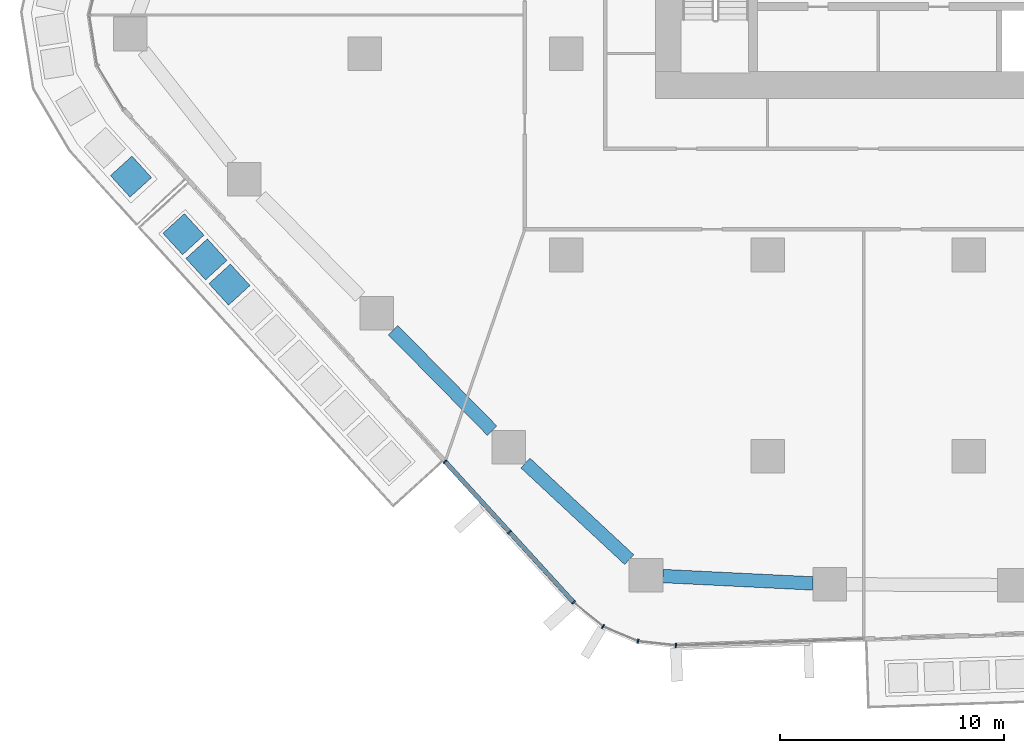
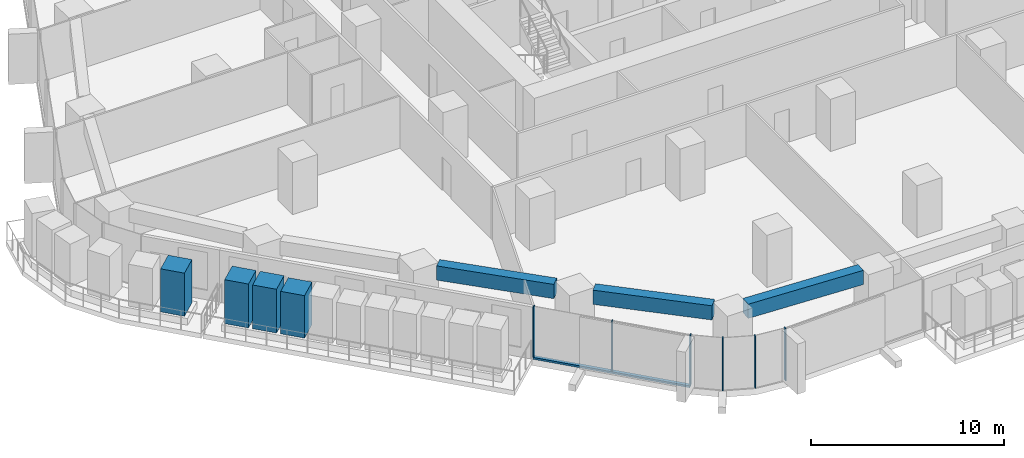
# One storey, part 2 of 26: 11 members, 3 beams, 2 elements without a shape of their own.
"""IFC4 building model written with IfcOpenShell, lengths in metres."""

import ifcopenshell
import ifcopenshell.guid

model = None  # the IFC model being written
_history = None  # IfcOwnerHistory: only IFC2X3 demands one
_inside = {}  # id of a spatial element -> (the spatial element, [elements in it])
_under = {}  # id of a project, library or spatial element -> (it, [spatial elements below it])
_declared = {}  # id of a project -> (the project, [libraries it declares])
_typed = {}  # id of a type object -> (the type object, [elements of that type])
_made_of = {}  # id of a material, layer set ... -> (it, [elements and type objects made of it])


def new_model(schema):
    """Start an empty IFC model of exactly this schema.

    Asked for "IFC4X3", IfcOpenShell would pick the latest addendum, in which some entities
    have other attributes; the version numbers below select the first issue.
    IFC2X3 requires an IfcOwnerHistory on every rooted entity: one is made here for all.
    """
    global model, _history
    if schema == "IFC4X3":
        model = ifcopenshell.file(schema_version=(4, 3, 0, 0))
    else:
        model = ifcopenshell.file(schema=schema)
    _inside.clear()
    _under.clear()
    _declared.clear()
    _typed.clear()
    _made_of.clear()
    _history = None
    if model.schema == "IFC2X3":
        org = make("IfcOrganization", Name="unknown")
        user = make(
            "IfcPersonAndOrganization",
            ThePerson=make("IfcPerson", FamilyName="unknown"),
            TheOrganization=org,
        )
        app = make(
            "IfcApplication",
            ApplicationDeveloper=org,
            Version="unknown",
            ApplicationFullName="unknown",
            ApplicationIdentifier="unknown",
        )
        _history = make(
            "IfcOwnerHistory",
            OwningUser=user,
            OwningApplication=app,
            ChangeAction="ADDED",
            CreationDate=0,
        )
    return model


def make(cls, **values):
    """One entity of the class cls with the attributes given. An attribute that is None is left unset."""
    return model.create_entity(
        cls, **{name: value for name, value in values.items() if value is not None}
    )


def rooted(cls, **values):
    """An entity with a GlobalId (a new one), such as an element, a storey or a relation."""
    return make(cls, GlobalId=ifcopenshell.guid.new(), OwnerHistory=_history, **values)


def si_unit(unit_type, name, prefix=None):
    """IfcSIUnit, for example si_unit("LENGTHUNIT", "METRE", prefix="MILLI")."""
    return make("IfcSIUnit", UnitType=unit_type, Prefix=prefix, Name=name)


def assignment(units):
    """IfcUnitAssignment: the units of a project."""
    return None if units is None else make("IfcUnitAssignment", Units=units)


def point(xyz):
    """IfcCartesianPoint."""
    return None if xyz is None else make("IfcCartesianPoint", Coordinates=xyz)


def direction(xyz):
    """IfcDirection."""
    return None if xyz is None else make("IfcDirection", DirectionRatios=xyz)


def frame(location, z_axis=None, x_axis=None):
    """IfcAxis2Placement3D, a coordinate frame: its origin and axes. An axis left out is left unset."""
    return make(
        "IfcAxis2Placement3D",
        Location=point(location),
        Axis=direction(z_axis),
        RefDirection=direction(x_axis),
    )


def frame_2d(location, x_axis=None):
    """IfcAxis2Placement2D, a coordinate frame in the plane: its origin and x axis."""
    return make(
        "IfcAxis2Placement2D", Location=point(location), RefDirection=direction(x_axis)
    )


def origin():
    """The frame at (0, 0, 0) with its axes left unset."""
    return frame((0.0, 0.0, 0.0))


def origin_2d():
    """The frame at (0, 0) in the plane with its x axis left unset."""
    return frame_2d((0.0, 0.0))


def place(relative_to, where):
    """IfcLocalPlacement: puts the frame where relative to a parent placement (None: the world)."""
    return make(
        "IfcLocalPlacement", PlacementRelTo=relative_to, RelativePlacement=where
    )


def context(
    kind, dimensions, precision=None, world=None, true_north=None, identifier=None
):
    """IfcGeometricRepresentationContext, for example the 3D "Model" context."""
    return make(
        "IfcGeometricRepresentationContext",
        ContextIdentifier=identifier,
        ContextType=kind,
        CoordinateSpaceDimension=dimensions,
        Precision=precision,
        WorldCoordinateSystem=world,
        TrueNorth=true_north,
    )


def subcontext(parent, identifier, kind, view, scale=None):
    """IfcGeometricRepresentationSubContext, for example "Body" below "Model"."""
    return make(
        "IfcGeometricRepresentationSubContext",
        ContextIdentifier=identifier,
        ContextType=kind,
        ParentContext=parent,
        TargetScale=scale,
        TargetView=view,
    )


def project(units=None, contexts=None):
    """IfcProject with its units and contexts."""
    return rooted(
        "IfcProject",
        Name="project",
        RepresentationContexts=contexts,
        UnitsInContext=assignment(units),
    )


def spatial(cls, under=None, at=None, **own):
    """A site, building, storey or space (cls), placed at a placement, below another one or the project."""
    s = rooted(cls, ObjectPlacement=at, **own)
    if under is not None:
        _under.setdefault(under.id(), (under, []))[1].append(s)
    return s


def profile(cls, at=None, kind="AREA", **sizes):
    """A parametric profile (cls). Its sizes go by their IFC names, for example OverallWidth=200.0."""
    return make(cls, ProfileType=kind, Position=at, **sizes)


def rectangle(**sizes):
    """IfcRectangleProfileDef."""
    return profile("IfcRectangleProfileDef", **sizes)


def extrude(swept, where, along, depth):
    """IfcExtrudedAreaSolid: the profile swept, set in the frame where, extruded along a direction by depth."""
    return make(
        "IfcExtrudedAreaSolid",
        SweptArea=swept,
        Position=where,
        ExtrudedDirection=direction(along),
        Depth=depth,
    )


def shape(context_of_items, identifier, shape_type, items):
    """IfcShapeRepresentation: the items that make up one representation, for example the "Body"."""
    return make(
        "IfcShapeRepresentation",
        ContextOfItems=context_of_items,
        RepresentationIdentifier=identifier,
        RepresentationType=shape_type,
        Items=items,
    )


def material(Name=None, Category=None):
    """IfcMaterial."""
    return make("IfcMaterial", Name=Name, Category=Category)


def layer(
    of_material, thickness, ventilated=None, Name=None, Category=None, Priority=None
):
    """IfcMaterialLayer: one layer of a wall or slab, of a material (None: an air gap)."""
    return make(
        "IfcMaterialLayer",
        Material=of_material,
        LayerThickness=thickness,
        IsVentilated=ventilated,
        Name=Name,
        Category=Category,
        Priority=Priority,
    )


def layer_set(layers, Name=None):
    """IfcMaterialLayerSet."""
    return make("IfcMaterialLayerSet", MaterialLayers=layers, LayerSetName=Name)


def material_profile(
    of_material, cross_section, Name=None, Category=None, Priority=None
):
    """IfcMaterialProfile: a cross section and its material."""
    return make(
        "IfcMaterialProfile",
        Name=Name,
        Material=of_material,
        Profile=cross_section,
        Priority=Priority,
        Category=Category,
    )


def profile_set(profiles, Name=None, composite=None):
    """IfcMaterialProfileSet."""
    return make(
        "IfcMaterialProfileSet",
        Name=Name,
        MaterialProfiles=profiles,
        CompositeProfile=composite,
    )


def made_of(thing, what):
    """Note that an element or type object is made of a material, layer set ...; save() writes the relation."""
    if what is not None:
        _made_of.setdefault(what.id(), (what, []))[1].append(thing)
    return thing


def type_object(cls, material=None, **own):
    """A type object (cls), such as IfcWallType, which elements share."""
    return made_of(rooted(cls, **own), material)


def element(
    cls,
    number,
    at=None,
    inside=None,
    cuts=None,
    type_object=None,
    material=None,
    context=None,
    identifier="Body",
    shape_type=None,
    held_by="IfcProductDefinitionShape",
    body=None,
    shapes=None,
    **own,
):
    """One element of the class cls, such as IfcWall. Its Tag is "e" and its number.

    at: its placement. inside: the storey or other place that contains it. cuts: it is an
    opening in that element (IfcRelVoidsElement). A single representation is given by context,
    identifier, shape_type and body (its items); several are given by shapes. held_by: the class
    of the entity that holds the representations. save() writes the other relations.
    """
    e = rooted(cls, Tag="e%d" % number, ObjectPlacement=at, **own)
    if body is not None:
        shapes = [shape(context, identifier, shape_type, body)]
    if shapes is not None:
        e.Representation = make(held_by, Representations=shapes)
    if inside is not None:
        _inside.setdefault(inside.id(), (inside, []))[1].append(e)
    if cuts is not None:
        rooted(
            "IfcRelVoidsElement", RelatingBuildingElement=cuts, RelatedOpeningElement=e
        )
    if type_object is not None:
        _typed.setdefault(type_object.id(), (type_object, []))[1].append(e)
    return made_of(e, material)


def aggregate(whole, parts):
    """IfcRelAggregates: a whole, such as a stair, and the parts it consists of."""
    return rooted("IfcRelAggregates", RelatingObject=whole, RelatedObjects=parts)


def save(model, path):
    """Write the relations noted so far, then the file.

    IfcRelAggregates (storeys below a building ...), IfcRelContainedInSpatialStructure (elements
    in a storey), IfcRelDefinesByType, IfcRelAssociatesMaterial and IfcRelDeclares: one each for
    every whole, place, type object, material and project.
    """
    for whole, parts in _under.values():
        aggregate(whole, parts)
    for where, things in _inside.values():
        rooted(
            "IfcRelContainedInSpatialStructure",
            RelatedElements=things,
            RelatingStructure=where,
        )
    for kind, things in _typed.values():
        rooted("IfcRelDefinesByType", RelatedObjects=things, RelatingType=kind)
    for what, things in _made_of.values():
        rooted("IfcRelAssociatesMaterial", RelatedObjects=things, RelatingMaterial=what)
    for by, libraries in _declared.values():
        rooted("IfcRelDeclares", RelatingContext=by, RelatedDefinitions=libraries)
    model.write(path)


model = new_model("IFC4")

# Units and contexts
model_context = context("Model", 3, precision=1e-05, world=origin(), true_north=direction((0.0, 1.0)))
body_context = subcontext(model_context, "Body", "Model", "MODEL_VIEW")
ifc_project = project(units=[si_unit("LENGTHUNIT", "METRE"), si_unit("AREAUNIT", "SQUARE_METRE"), si_unit("VOLUMEUNIT", "CUBIC_METRE"), si_unit("PLANEANGLEUNIT", "RADIAN"), si_unit("MASSUNIT", "GRAM", prefix="KILO")], contexts=[model_context])

# Site, building, storey
site_placement = place(None, origin())
site = spatial("IfcSite", under=ifc_project, at=site_placement, CompositionType="ELEMENT")
building_placement = place(site_placement, origin())
building = spatial("IfcBuilding", under=site, at=building_placement, Name="Dongbaek Canopy Tower", CompositionType="ELEMENT")
storey_placement = place(building_placement, frame((0.0, 0.0, 69.89990234375)))
storey = spatial("IfcBuildingStorey", under=building, at=storey_placement, Name="L13", CompositionType="ELEMENT", Elevation=69.89990234375)

# Curtain wall, members
ifc_material_1 = material(Name="Aluminium 6063-T6 pale anodised", Category="aluminium")
ifc_layer = layer(ifc_material_1, 0.199951171875)
ifc_layer_set = layer_set([ifc_layer], Name="CW-1 unitised tower curtain wall")
curtain_wall_type = type_object("IfcCurtainWallType", Name="CW-1 unitised tower curtain wall", PredefinedType="NOTDEFINED", material=ifc_layer_set)
curtain_wall_1_placement = place(storey_placement, origin())
curtain_wall_1 = element("IfcCurtainWall", 1, at=curtain_wall_1_placement, inside=storey, type_object=curtain_wall_type, Name="CW-1 curtain wall F3.1", PredefinedType="NOTDEFINED")
ifc_material_2 = material(Name="Aluminium 6063-T6 pale anodised", Category="aluminium")
ifc_material_profile_1 = material_profile(ifc_material_2, rectangle(XDim=0.199951171875, YDim=0.06005859375, at=origin_2d()), Name="CW-1 mullion 60 x 200")
ifc_profile_set_1 = profile_set([ifc_material_profile_1], Name="Aluminium 6063-T6 pale anodised")
member_type_1 = type_object("IfcMemberType", Name="CW-1 mullion 60 x 200", PredefinedType="MULLION", material=ifc_profile_set_1)
member_1_placement = place(storey_placement, frame((-23.41162109375, -27.234130859375, 0.1201171875), z_axis=(0.0, 0.0, 1.0), x_axis=(-0.738720005108, -0.674012428708, 0.0)))
member_1 = element("IfcMember", 2, at=member_1_placement, type_object=member_type_1, Name="CW-1 mullion F3.1.1", PredefinedType="MULLION", context=body_context, shape_type="SweptSolid", body=[
    extrude(rectangle(XDim=0.199951171875, YDim=0.06005859375, at=origin_2d()), origin(), (0.0, 0.0, 1.0), 3.179931640625),
])
member_2_placement = place(storey_placement, frame((-20.5380859375, -30.3837890625, 0.1201171875), z_axis=(0.0, 0.0, 1.0), x_axis=(-0.738720005108, -0.674012428708, 0.0)))
member_2 = element("IfcMember", 3, at=member_2_placement, type_object=member_type_1, Name="CW-1 mullion F3.1.2", PredefinedType="MULLION", context=body_context, shape_type="SweptSolid", body=[
    extrude(rectangle(XDim=0.199951171875, YDim=0.06005859375, at=origin_2d()), origin(), (0.0, 0.0, 1.0), 3.179931640625),
])
member_3_placement = place(storey_placement, frame((-17.669189453125, -33.52783203125, 0.1201171875), z_axis=(0.0, 0.0, 1.0), x_axis=(-0.738720005108, -0.674012428708, 0.0)))
member_3 = element("IfcMember", 4, at=member_3_placement, type_object=member_type_1, Name="CW-1 mullion F3.1.3", PredefinedType="MULLION", context=body_context, shape_type="SweptSolid", body=[
    extrude(rectangle(XDim=0.199951171875, YDim=0.06005859375, at=origin_2d()), origin(), (0.0, 0.0, 1.0), 3.179931640625),
])

curtain_wall_2_placement = place(storey_placement, origin())
curtain_wall_2 = element("IfcCurtainWall", 5, at=curtain_wall_2_placement, inside=storey, type_object=curtain_wall_type, Name="CW-1 curtain wall K4.1", PredefinedType="NOTDEFINED")
member_4_placement = place(storey_placement, frame((-16.35302734375, -34.607421875, 0.0), z_axis=(0.0, 0.0, 1.0), x_axis=(-0.516535377542, -0.856265848757, 0.0)))
member_4 = element("IfcMember", 6, at=member_4_placement, type_object=member_type_1, Name="CW-1 mullion K4.1.2", PredefinedType="MULLION", context=body_context, shape_type="SweptSolid", body=[
    extrude(rectangle(XDim=0.199951171875, YDim=0.06005859375, at=origin_2d()), origin(), (0.0, 0.0, 1.0), 3.300048828125),
])
member_5_placement = place(storey_placement, frame((-14.790771484375, -35.265380859375, 0.0), z_axis=(0.0, 0.0, 1.0), x_axis=(-0.251694061248, -0.967806850323, 0.0)))
member_5 = element("IfcMember", 7, at=member_5_placement, type_object=member_type_1, Name="CW-1 mullion K4.1.3", PredefinedType="MULLION", context=body_context, shape_type="SweptSolid", body=[
    extrude(rectangle(XDim=0.199951171875, YDim=0.06005859375, at=origin_2d()), origin(), (0.0, 0.0, 1.0), 3.300048828125),
])
member_6_placement = place(storey_placement, frame((-13.0986328125, -35.452880859375, 0.0), z_axis=(0.0, 0.0, 1.0), x_axis=(-0.110022324221, -0.993929116272, 0.0)))
member_6 = element("IfcMember", 8, at=member_6_placement, type_object=member_type_1, Name="CW-1 mullion K4.1.4", PredefinedType="MULLION", context=body_context, shape_type="SweptSolid", body=[
    extrude(rectangle(XDim=0.199951171875, YDim=0.06005859375, at=origin_2d()), origin(), (0.0, 0.0, 1.0), 3.300048828125),
])
aggregate(curtain_wall_2, [member_4, member_5, member_6])

# Member
ifc_material_3 = material(Name="Aluminium 6063-T6 pale anodised", Category="aluminium")
ifc_material_profile_2 = material_profile(ifc_material_3, rectangle(XDim=0.199951171875, YDim=0.1201171875, at=origin_2d()), Name="CW-1 transom 120 x 200")
ifc_profile_set_2 = profile_set([ifc_material_profile_2], Name="Aluminium 6063-T6 pale anodised")
member_type_2 = type_object("IfcMemberType", Name="CW-1 transom 120 x 200", PredefinedType="USERDEFINED", material=ifc_profile_set_2)
member_7_placement = place(storey_placement, frame((-23.41162109375, -27.234130859375, 0.06005859375), z_axis=(0.674013843629, -0.738718714124, 0.0), x_axis=(0.738718714124, 0.674013843629, 0.0)))
member_7 = element("IfcMember", 9, at=member_7_placement, type_object=member_type_2, Name="CW-1 transom F3.1.1", ObjectType="TRANSOM", PredefinedType="USERDEFINED", context=body_context, shape_type="SweptSolid", body=[
    extrude(rectangle(XDim=0.199951171875, YDim=0.1201171875, at=origin_2d()), origin(), (0.0, 0.0, 1.0), 8.519775390625),
])

aggregate(curtain_wall_1, [member_1, member_2, member_3, member_7])

# Beams
ifc_material_4 = material(Name="Concrete C80", Category="concrete")
ifc_material_profile_3 = material_profile(ifc_material_4, rectangle(XDim=0.60009765625, YDim=0.89990234375, at=origin_2d()), Name="RC EDGE BEAM 600x900 C80")
ifc_profile_set_3 = profile_set([ifc_material_profile_3], Name="Concrete C80")
beam_type = type_object("IfcBeamType", Name="RC EDGE BEAM 600x900 C80", PredefinedType="BEAM", material=ifc_profile_set_3)
beam_1_placement = place(storey_placement, frame((-6.971923828125, -32.68017578125, 2.85009765625), z_axis=(-0.998791258722, 0.049153041612, 0.0), x_axis=(-0.049153041612, -0.998791258722, 0.0)))
element("IfcBeam", 10, at=beam_1_placement, inside=storey, type_object=beam_type, Name="EDGEBEAM:L13:03", PredefinedType="BEAM", context=body_context, shape_type="SweptSolid", body=[
    extrude(rectangle(XDim=0.60009765625, YDim=0.89990234375, at=origin_2d()), origin(), (0.0, 0.0, 1.0), 6.72021484375),
])
beam_2_placement = place(storey_placement, frame((-15.18408203125, -31.615478515625, 2.85009765625), z_axis=(-0.732207291567, 0.681081846899, 0.0), x_axis=(-0.681081846899, -0.732207291567, 0.0)))
element("IfcBeam", 11, at=beam_2_placement, inside=storey, type_object=beam_type, Name="EDGEBEAM:L13:04", PredefinedType="BEAM", context=body_context, shape_type="SweptSolid", body=[
    extrude(rectangle(XDim=0.60009765625, YDim=0.89990234375, at=origin_2d()), origin(), (0.0, 0.0, 1.0), 6.3369140625),
])
beam_3_placement = place(storey_placement, frame((-21.312744140625, -25.85205078125, 2.85009765625), z_axis=(-0.701726082417, 0.712446843811, 0.0), x_axis=(-0.712446843811, -0.701726082417, 0.0)))
element("IfcBeam", 12, at=beam_3_placement, inside=storey, type_object=beam_type, Name="EDGEBEAM:L13:05", PredefinedType="BEAM", context=body_context, shape_type="SweptSolid", body=[
    extrude(rectangle(XDim=0.60009765625, YDim=0.89990234375, at=origin_2d()), origin(), (0.0, 0.0, 1.0), 6.30810546875),
])

# Members
ifc_material_5 = material(Name="Concrete C40/50 planter mass with planting", Category="concrete")
ifc_material_profile_4 = material_profile(ifc_material_5, rectangle(XDim=1.300048828125, YDim=1.300048828125, at=origin_2d()), Name="Terrace PLANTER shrub mass 1300 x 1300")
ifc_profile_set_4 = profile_set([ifc_material_profile_4], Name="Concrete C40/50 planter mass with planting")
member_type_3 = type_object("IfcMemberType", Name="Terrace PLANTER shrub mass 1300 x 1300", PredefinedType="USERDEFINED", material=ifc_profile_set_4)
member_8_placement = place(storey_placement, frame((-35.107421875, -17.0712890625, 0.420166015625), z_axis=(0.0, 0.0, 1.0), x_axis=(-0.738720005108, -0.674012428708, 0.0)))
element("IfcMember", 13, at=member_8_placement, inside=storey, type_object=member_type_3, Name="Planter shrubs L13 3.1", ObjectType="PLANTER", PredefinedType="USERDEFINED", context=body_context, shape_type="SweptSolid", body=[
    extrude(rectangle(XDim=1.300048828125, YDim=1.300048828125, at=origin_2d()), origin(), (0.0, 0.0, 1.0), 2.780029296875),
])
member_9_placement = place(storey_placement, frame((-34.079345703125, -18.197998046875, 0.420166015625), z_axis=(0.0, 0.0, 1.0), x_axis=(-0.738720005108, -0.674012428708, 0.0)))
element("IfcMember", 14, at=member_9_placement, inside=storey, type_object=member_type_3, Name="Planter shrubs L13 3.2", ObjectType="PLANTER", PredefinedType="USERDEFINED", context=body_context, shape_type="SweptSolid", body=[
    extrude(rectangle(XDim=1.300048828125, YDim=1.300048828125, at=origin_2d()), origin(), (0.0, 0.0, 1.0), 2.77001953125),
])
member_10_placement = place(storey_placement, frame((-33.05126953125, -19.32470703125, 0.420166015625), z_axis=(0.0, 0.0, 1.0), x_axis=(-0.738720005108, -0.674012428708, 0.0)))
element("IfcMember", 15, at=member_10_placement, inside=storey, type_object=member_type_3, Name="Planter shrubs L13 3.3", ObjectType="PLANTER", PredefinedType="USERDEFINED", context=body_context, shape_type="SweptSolid", body=[
    extrude(rectangle(XDim=1.300048828125, YDim=1.300048828125, at=origin_2d()), origin(), (0.0, 0.0, 1.0), 2.68994140625),
])
member_11_placement = place(storey_placement, frame((-37.453125, -14.49755859375, 0.420166015625), z_axis=(0.0, 0.0, 1.0), x_axis=(-0.740275867096, -0.672303235598, 0.0)))
element("IfcMember", 16, at=member_11_placement, inside=storey, type_object=member_type_3, Name="Planter shrubs L13 7.6", ObjectType="PLANTER", PredefinedType="USERDEFINED", context=body_context, shape_type="SweptSolid", body=[
    extrude(rectangle(XDim=1.300048828125, YDim=1.300048828125, at=origin_2d()), origin(), (0.0, 0.0, 1.0), 2.72998046875),
])

save(model, "model.ifc")
